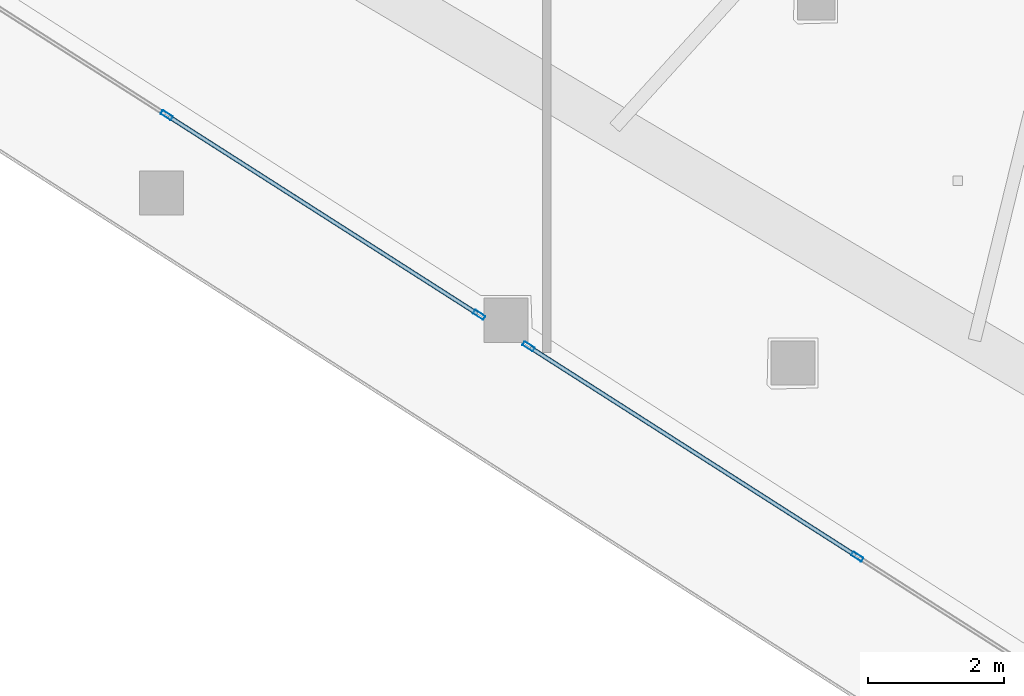
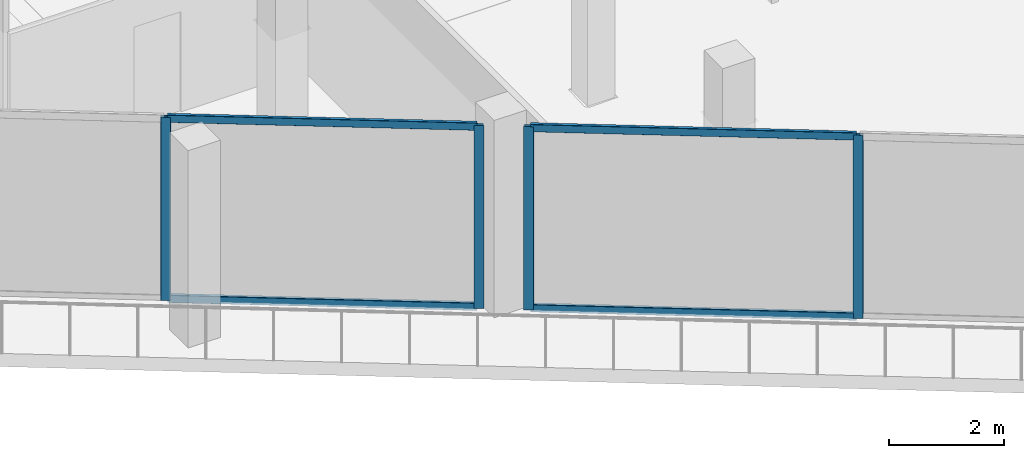
# One storey, part 2 of 45: 8 members, 2 elements without a shape of their own.
"""IFC4 building model written with IfcOpenShell, lengths in metres."""

from ifc_helpers import new_model, si_unit, direction, frame, origin, origin_2d, place, context, subcontext, project, spatial, hollow_rectangle, extrude, material, layer, layer_set, material_profile, profile_set, type_object, element, aggregate, save


model = new_model("IFC4")

# Units and contexts
model_context = context("Model", 3, precision=1e-05, world=origin(), true_north=direction((0.0, 1.0)))
body_context = subcontext(model_context, "Body", "Model", "MODEL_VIEW")
ifc_project = project(units=[si_unit("LENGTHUNIT", "METRE"), si_unit("AREAUNIT", "SQUARE_METRE"), si_unit("VOLUMEUNIT", "CUBIC_METRE"), si_unit("PLANEANGLEUNIT", "RADIAN"), si_unit("MASSUNIT", "GRAM", prefix="KILO")], contexts=[model_context])

# Site, building, storey
site_placement = place(None, origin())
site = spatial("IfcSite", under=ifc_project, at=site_placement, CompositionType="ELEMENT")
building_placement = place(site_placement, origin())
building = spatial("IfcBuilding", under=site, at=building_placement, Name="Qorvath Tower", CompositionType="ELEMENT")
storey_placement = place(building_placement, frame((0.0, 0.0, 95.39990234375)))
storey = spatial("IfcBuildingStorey", under=building, at=storey_placement, Name="L21", CompositionType="ELEMENT", Elevation=95.39990234375)

# Curtain wall, members
ifc_material_1 = material(Name="Anodised aluminium and triple low-E glass", Category="aluminium")
ifc_layer = layer(ifc_material_1, 0.179931640625)
ifc_layer_set = layer_set([ifc_layer], Name="CW-SYS-2")
curtain_wall_type = type_object("IfcCurtainWallType", Name="CW-SYS-2", PredefinedType="NOTDEFINED", material=ifc_layer_set)
curtain_wall_1_placement = place(storey_placement, origin())
curtain_wall_1 = element("IfcCurtainWall", 1, at=curtain_wall_1_placement, inside=storey, type_object=curtain_wall_type, Name="Curtain Wall CW-2 CW-T-L21-2.1", PredefinedType="NOTDEFINED")
ifc_material_2 = material(Name="Anodised aluminium 6063-T6", Category="aluminium")
ifc_material_profile_1 = material_profile(ifc_material_2, hollow_rectangle(XDim=0.06494140625, YDim=0.179931640625, WallThickness=0.00341796875, InnerFilletRadius=0.00341796875, OuterFilletRadius=0.007080078125, at=origin_2d()), Name="CWM 180x65")
ifc_profile_set_1 = profile_set([ifc_material_profile_1], Name="Anodised aluminium 6063-T6")
member_type_1 = type_object("IfcMemberType", Name="CWM-180", PredefinedType="MULLION", material=ifc_profile_set_1)
member_1_placement = place(storey_placement, frame((-40.255859375, -15.805419921875, 0.0), z_axis=(0.0, 0.0, 1.0), x_axis=(0.53852928912, 0.842606791309, 0.0)))
member_1 = element("IfcMember", 2, at=member_1_placement, type_object=member_type_1, Name="CW-2 mullion 5", PredefinedType="MULLION", context=body_context, shape_type="SweptSolid", body=[
    extrude(hollow_rectangle(XDim=0.06494140625, YDim=0.179931640625, WallThickness=0.00341796875, InnerFilletRadius=0.00341796875, OuterFilletRadius=0.007080078125, at=origin_2d()), origin(), (0.0, 0.0, 1.0), 3.900146484375),
])
member_2_placement = place(storey_placement, frame((-35.64892578125, -18.749755859375, 0.0), z_axis=(0.0, 0.0, 1.0), x_axis=(0.53852928912, 0.842606791309, 0.0)))
member_2 = element("IfcMember", 3, at=member_2_placement, type_object=member_type_1, Name="CW-2 mullion 6", PredefinedType="MULLION", context=body_context, shape_type="SweptSolid", body=[
    extrude(hollow_rectangle(XDim=0.06494140625, YDim=0.179931640625, WallThickness=0.00341796875, InnerFilletRadius=0.00341796875, OuterFilletRadius=0.007080078125, at=origin_2d()), origin(), (0.0, 0.0, 1.0), 3.900146484375),
])

curtain_wall_2_placement = place(storey_placement, origin())
curtain_wall_2 = element("IfcCurtainWall", 4, at=curtain_wall_2_placement, inside=storey, type_object=curtain_wall_type, Name="Curtain Wall CW-2 CW-T-L21-2.2", PredefinedType="NOTDEFINED")
member_3_placement = place(storey_placement, frame((-34.91845703125, -19.216796875, 0.0), z_axis=(0.0, 0.0, 1.0), x_axis=(0.538538603445, 0.842600838238, 0.0)))
member_3 = element("IfcMember", 5, at=member_3_placement, type_object=member_type_1, Name="CW-2 mullion 1", PredefinedType="MULLION", context=body_context, shape_type="SweptSolid", body=[
    extrude(hollow_rectangle(XDim=0.06494140625, YDim=0.179931640625, WallThickness=0.00341796875, InnerFilletRadius=0.00341796875, OuterFilletRadius=0.007080078125, at=origin_2d()), origin(), (0.0, 0.0, 1.0), 3.900146484375),
])
member_4_placement = place(storey_placement, frame((-30.07080078125, -22.31494140625, 0.0), z_axis=(0.0, 0.0, 1.0), x_axis=(0.538538603445, 0.842600838238, 0.0)))
member_4 = element("IfcMember", 6, at=member_4_placement, type_object=member_type_1, Name="CW-2 mullion 2", PredefinedType="MULLION", context=body_context, shape_type="SweptSolid", body=[
    extrude(hollow_rectangle(XDim=0.06494140625, YDim=0.179931640625, WallThickness=0.00341796875, InnerFilletRadius=0.00341796875, OuterFilletRadius=0.007080078125, at=origin_2d()), origin(), (0.0, 0.0, 1.0), 3.900146484375),
])

# Member
ifc_material_3 = material(Name="Anodised aluminium 6063-T6", Category="aluminium")
ifc_material_profile_2 = material_profile(ifc_material_3, hollow_rectangle(XDim=0.06494140625, YDim=0.159912109375, WallThickness=0.00341796875, InnerFilletRadius=0.00341796875, OuterFilletRadius=0.007080078125, at=origin_2d()), Name="CWT 160x65")
ifc_profile_set_2 = profile_set([ifc_material_profile_2], Name="Anodised aluminium 6063-T6")
member_type_2 = type_object("IfcMemberType", Name="CWT-160", PredefinedType="USERDEFINED", material=ifc_profile_set_2)
member_5_placement = place(storey_placement, frame((-40.228515625, -15.822998046875, 0.032470703125), z_axis=(0.842629048845, -0.538494462407, 0.0), x_axis=(0.538494462407, 0.842629048845, 0.0)))
member_5 = element("IfcMember", 7, at=member_5_placement, type_object=member_type_2, Name="CW-2 transom 5.1", ObjectType="TRANSOM", PredefinedType="USERDEFINED", context=body_context, shape_type="SweptSolid", body=[
    extrude(hollow_rectangle(XDim=0.06494140625, YDim=0.159912109375, WallThickness=0.00341796875, InnerFilletRadius=0.00341796875, OuterFilletRadius=0.007080078125, at=origin_2d()), origin(), (0.0, 0.0, 1.0), 5.40234375),
])

member_6_placement = place(storey_placement, frame((-40.228515625, -15.822998046875, 3.86767578125), z_axis=(0.842629048845, -0.538494462407, 0.0), x_axis=(0.538494462407, 0.842629048845, 0.0)))
member_6 = element("IfcMember", 8, at=member_6_placement, type_object=member_type_2, Name="CW-2 transom 5.2", ObjectType="TRANSOM", PredefinedType="USERDEFINED", context=body_context, shape_type="SweptSolid", body=[
    extrude(hollow_rectangle(XDim=0.06494140625, YDim=0.159912109375, WallThickness=0.00341796875, InnerFilletRadius=0.00341796875, OuterFilletRadius=0.007080078125, at=origin_2d()), origin(), (0.0, 0.0, 1.0), 5.40234375),
])

aggregate(curtain_wall_1, [member_1, member_2, member_5, member_6])

member_7_placement = place(storey_placement, frame((-34.89111328125, -19.234130859375, 0.032470703125), z_axis=(0.842592391102, -0.538551819659, 0.0), x_axis=(0.538551819659, 0.842592391102, 0.0)))
member_7 = element("IfcMember", 9, at=member_7_placement, type_object=member_type_2, Name="CW-2 transom 1.1", ObjectType="TRANSOM", PredefinedType="USERDEFINED", context=body_context, shape_type="SweptSolid", body=[
    extrude(hollow_rectangle(XDim=0.06494140625, YDim=0.159912109375, WallThickness=0.00341796875, InnerFilletRadius=0.00341796875, OuterFilletRadius=0.007080078125, at=origin_2d()), origin(), (0.0, 0.0, 1.0), 5.6884765625),
])

member_8_placement = place(storey_placement, frame((-34.89111328125, -19.234130859375, 3.86767578125), z_axis=(0.842592391102, -0.538551819659, 0.0), x_axis=(0.538551819659, 0.842592391102, 0.0)))
member_8 = element("IfcMember", 10, at=member_8_placement, type_object=member_type_2, Name="CW-2 transom 1.2", ObjectType="TRANSOM", PredefinedType="USERDEFINED", context=body_context, shape_type="SweptSolid", body=[
    extrude(hollow_rectangle(XDim=0.06494140625, YDim=0.159912109375, WallThickness=0.00341796875, InnerFilletRadius=0.00341796875, OuterFilletRadius=0.007080078125, at=origin_2d()), origin(), (0.0, 0.0, 1.0), 5.6884765625),
])

aggregate(curtain_wall_2, [member_3, member_4, member_7, member_8])

save(model, "model.ifc")
